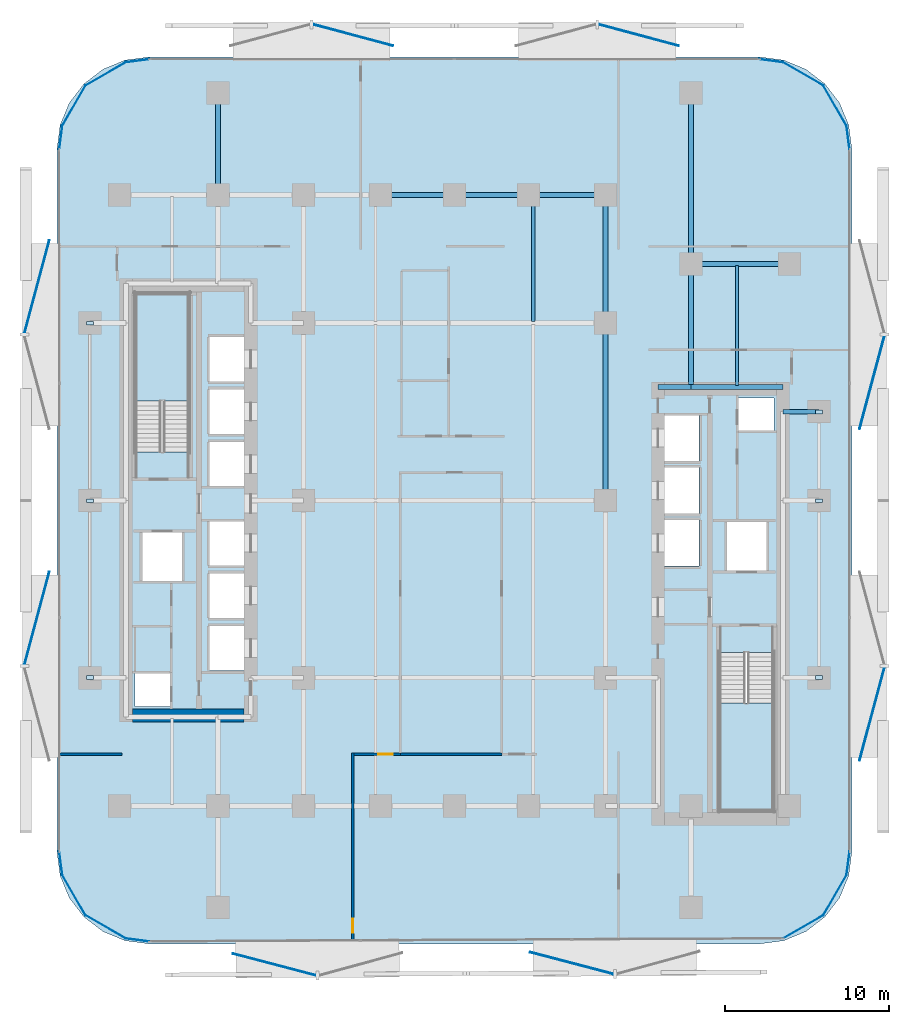
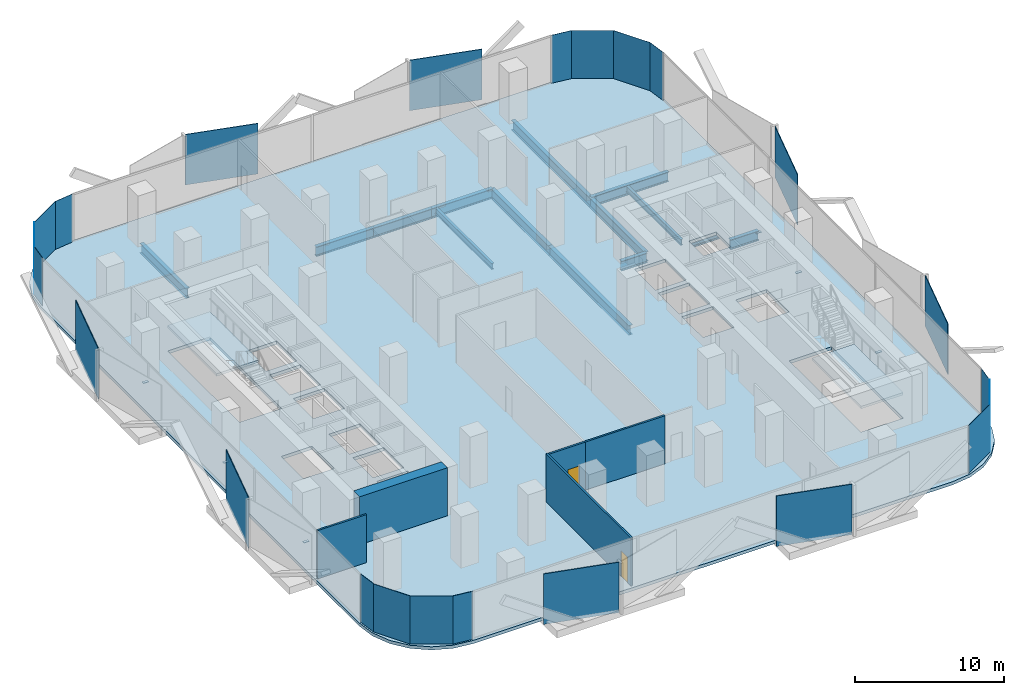
# One storey, part 2 of 15: 29 plates, 14 beams, 5 walls, 3 slabs, 2 doors, 2 openings, 2 elements without a shape of their own.
"""IFC4 building model written with IfcOpenShell, lengths in metres."""

from ifc_helpers import new_model, si_unit, direction, frame, frame_2d, origin, origin_2d, place, context, subcontext, project, spatial, polyline, rectangle, i_section, outline, extrude, material, layer, layer_set, material_profile, profile_set, type_object, element, fill, aggregate, save


model = new_model("IFC4")

# Units and contexts
model_context = context("Model", 3, precision=1e-05, world=origin(), true_north=direction((0.0, 1.0)))
body_context = subcontext(model_context, "Body", "Model", "MODEL_VIEW")
ifc_project = project(units=[si_unit("LENGTHUNIT", "METRE"), si_unit("AREAUNIT", "SQUARE_METRE"), si_unit("VOLUMEUNIT", "CUBIC_METRE"), si_unit("PLANEANGLEUNIT", "RADIAN"), si_unit("MASSUNIT", "GRAM", prefix="KILO")], contexts=[model_context])

# Site, building, storey
site_placement = place(None, origin())
site = spatial("IfcSite", under=ifc_project, at=site_placement, CompositionType="ELEMENT")
building_placement = place(site_placement, origin())
building = spatial("IfcBuilding", under=site, at=building_placement, Name="Khairoan Windgate Tower", CompositionType="ELEMENT")
storey_placement = place(building_placement, frame((0.0, 0.0, 47.0)))
storey = spatial("IfcBuildingStorey", under=building, at=storey_placement, Name="L11", CompositionType="ELEMENT", Elevation=47.0)

# Beams
ifc_material_1 = material(Name="Steel S355", Category="steel")
ifc_material_profile_1 = material_profile(ifc_material_1, i_section(OverallWidth=0.300048828125, OverallDepth=0.800048828125, WebThickness=0.013916015625, FlangeThickness=0.02587890625, FilletRadius=0.028076171875, at=origin_2d()))
ifc_profile_set_1 = profile_set([ifc_material_profile_1], Name="Steel S355")
beam_type_1 = type_object("IfcBeamType", Name="Beam B-G2 H800x300x14x26", PredefinedType="BEAM", material=ifc_profile_set_1)
beam_1_placement = place(storey_placement, frame((20.0, 5.39990234375, -0.659912109375), z_axis=(1.0, 0.0, 0.0), x_axis=(0.0, 1.0, 0.0)))
element("IfcBeam", 1, at=beam_1_placement, inside=storey, type_object=beam_type_1, Name="L11 E-W Primary Girder 19", PredefinedType="BEAM", context=body_context, shape_type="SweptSolid", body=[
    extrude(i_section(OverallWidth=0.300048828125, OverallDepth=0.800048828125, WebThickness=0.013916015625, FlangeThickness=0.02587890625, FilletRadius=0.028076171875, at=origin_2d()), origin(), (0.0, 0.0, 1.0), 2.199951171875),
])
beam_2_placement = place(storey_placement, frame((12.39990234375, 6.89990234375, -0.659912109375), z_axis=(1.0, 0.0, 0.0), x_axis=(0.0, 1.0, 0.0)))
element("IfcBeam", 2, at=beam_2_placement, inside=storey, type_object=beam_type_1, Name="L11 E-W Primary Girder 20", PredefinedType="BEAM", context=body_context, shape_type="SweptSolid", body=[
    extrude(i_section(OverallWidth=0.300048828125, OverallDepth=0.800048828125, WebThickness=0.013916015625, FlangeThickness=0.02587890625, FilletRadius=0.028076171875, at=origin_2d()), origin(), (0.0, 0.0, 1.0), 2.0),
])
beam_3_placement = place(storey_placement, frame((14.39990234375, 6.89990234375, -0.659912109375), z_axis=(1.0, 0.0, 0.0), x_axis=(0.0, 1.0, 0.0)))
element("IfcBeam", 3, at=beam_3_placement, inside=storey, type_object=beam_type_1, Name="L11 E-W Primary Girder 21", PredefinedType="BEAM", context=body_context, shape_type="SweptSolid", body=[
    extrude(i_section(OverallWidth=0.300048828125, OverallDepth=0.800048828125, WebThickness=0.013916015625, FlangeThickness=0.02587890625, FilletRadius=0.028076171875, at=origin_2d()), origin(), (0.0, 0.0, 1.0), 5.60009765625),
])
beam_4_placement = place(storey_placement, frame((14.39990234375, 14.39990234375, -0.659912109375), z_axis=(1.0, 0.0, 0.0), x_axis=(0.0, 1.0, 0.0)))
element("IfcBeam", 4, at=beam_4_placement, inside=storey, type_object=beam_type_1, Name="L11 E-W Primary Girder 27", PredefinedType="BEAM", context=body_context, shape_type="SweptSolid", body=[
    extrude(i_section(OverallWidth=0.300048828125, OverallDepth=0.800048828125, WebThickness=0.013916015625, FlangeThickness=0.02587890625, FilletRadius=0.028076171875, at=origin_2d()), origin(), (0.0, 0.0, 1.0), 6.0),
])
for number, where, z_axis, x_axis, name in (
    (5, (-4.5, 18.60009765625, -0.659912109375), (1.0, 0.0, 0.0), (0.0, 1.0, 0.0), "L11 E-W Primary Girder 31"),
    (6, (0.0, 18.60009765625, -0.659912109375), (1.0, 0.0, 0.0), (0.0, 1.0, 0.0), "L11 E-W Primary Girder 32"),
):
    element("IfcBeam", number, at=place(storey_placement, frame(where, z_axis=z_axis, x_axis=x_axis)), inside=storey, type_object=beam_type_1, Name=name, PredefinedType="BEAM", context=body_context, shape_type="SweptSolid", body=[
        extrude(i_section(OverallWidth=0.300048828125, OverallDepth=0.800048828125, WebThickness=0.013916015625, FlangeThickness=0.02587890625, FilletRadius=0.028076171875, at=origin_2d()), origin(), (0.0, 0.0, 1.0), 4.5),
    ])
beam_5_placement = place(storey_placement, frame((4.5, 18.60009765625, -0.659912109375), z_axis=(1.0, 0.0, 0.0), x_axis=(0.0, 1.0, 0.0)))
element("IfcBeam", 7, at=beam_5_placement, inside=storey, type_object=beam_type_1, Name="L11 E-W Primary Girder 33", PredefinedType="BEAM", context=body_context, shape_type="SweptSolid", body=[
    extrude(i_section(OverallWidth=0.300048828125, OverallDepth=0.800048828125, WebThickness=0.013916015625, FlangeThickness=0.02587890625, FilletRadius=0.028076171875, at=origin_2d()), origin(), (0.0, 0.0, 1.0), 4.699951171875),
])
beam_6_placement = place(storey_placement, frame((-14.39990234375, 18.60009765625, -0.659912109375), z_axis=(0.0, 1.0, 0.0), x_axis=(-1.0, 0.0, 0.0)))
element("IfcBeam", 8, at=beam_6_placement, inside=storey, type_object=beam_type_1, Name="L11 N-S Primary Beam 43", PredefinedType="BEAM", context=body_context, shape_type="SweptSolid", body=[
    extrude(i_section(OverallWidth=0.300048828125, OverallDepth=0.800048828125, WebThickness=0.013916015625, FlangeThickness=0.02587890625, FilletRadius=0.028076171875, at=origin_2d()), origin(), (0.0, 0.0, 1.0), 6.199951171875),
])
beam_7_placement = place(storey_placement, frame((9.199951171875, 0.0, -0.659912109375), z_axis=(0.0, 1.0, 0.0), x_axis=(-1.0, 0.0, 0.0)))
element("IfcBeam", 9, at=beam_7_placement, inside=storey, type_object=beam_type_1, Name="L11 N-S Primary Beam 52", PredefinedType="BEAM", context=body_context, shape_type="SweptSolid", body=[
    extrude(i_section(OverallWidth=0.300048828125, OverallDepth=0.800048828125, WebThickness=0.013916015625, FlangeThickness=0.02587890625, FilletRadius=0.028076171875, at=origin_2d()), origin(), (0.0, 0.0, 1.0), 10.800048828125),
])
beam_8_placement = place(storey_placement, frame((9.199951171875, 10.800048828125, -0.659912109375), z_axis=(0.0, 1.0, 0.0), x_axis=(-1.0, 0.0, 0.0)))
element("IfcBeam", 10, at=beam_8_placement, inside=storey, type_object=beam_type_1, Name="L11 N-S Primary Beam 53", PredefinedType="BEAM", context=body_context, shape_type="SweptSolid", body=[
    extrude(i_section(OverallWidth=0.300048828125, OverallDepth=0.800048828125, WebThickness=0.013916015625, FlangeThickness=0.02587890625, FilletRadius=0.028076171875, at=origin_2d()), origin(), (0.0, 0.0, 1.0), 7.800048828125),
])
beam_9_placement = place(storey_placement, frame((14.39990234375, 6.89990234375, -0.659912109375), z_axis=(0.0, 1.0, 0.0), x_axis=(-1.0, 0.0, 0.0)))
element("IfcBeam", 11, at=beam_9_placement, inside=storey, type_object=beam_type_1, Name="L11 N-S Primary Beam 56", PredefinedType="BEAM", context=body_context, shape_type="SweptSolid", body=[
    extrude(i_section(OverallWidth=0.300048828125, OverallDepth=0.800048828125, WebThickness=0.013916015625, FlangeThickness=0.02587890625, FilletRadius=0.028076171875, at=origin_2d()), origin(), (0.0, 0.0, 1.0), 7.5),
])
beam_10_placement = place(storey_placement, frame((14.39990234375, 14.39990234375, -0.659912109375), z_axis=(0.0, 1.0, 0.0), x_axis=(-1.0, 0.0, 0.0)))
element("IfcBeam", 12, at=beam_10_placement, inside=storey, type_object=beam_type_1, Name="L11 N-S Primary Beam 57", PredefinedType="BEAM", context=body_context, shape_type="SweptSolid", body=[
    extrude(i_section(OverallWidth=0.300048828125, OverallDepth=0.800048828125, WebThickness=0.013916015625, FlangeThickness=0.02587890625, FilletRadius=0.028076171875, at=origin_2d()), origin(), (0.0, 0.0, 1.0), 10.400146484375),
])
ifc_material_2 = material(Name="Steel S355", Category="steel")
ifc_material_profile_2 = material_profile(ifc_material_2, i_section(OverallWidth=0.199951171875, OverallDepth=0.5, WebThickness=0.010009765625, FlangeThickness=0.01611328125, FilletRadius=0.02001953125, at=origin_2d()))
ifc_profile_set_2 = profile_set([ifc_material_profile_2], Name="Steel S355")
beam_type_2 = type_object("IfcBeamType", Name="Beam J-S2 H500x200x10x16", PredefinedType="JOIST", material=ifc_profile_set_2)
beam_11_placement = place(storey_placement, frame((4.800048828125, 10.889892578125, -0.510009765625), z_axis=(0.0, 1.0, 0.0), x_axis=(-1.0, 0.0, 0.0)))
element("IfcBeam", 13, at=beam_11_placement, inside=storey, type_object=beam_type_2, Name="L11 Secondary Floor Joist 10", PredefinedType="JOIST", context=body_context, shape_type="SweptSolid", body=[
    extrude(i_section(OverallWidth=0.199951171875, OverallDepth=0.5, WebThickness=0.010009765625, FlangeThickness=0.01611328125, FilletRadius=0.02001953125, at=origin_2d()), origin(), (0.0, 0.0, 1.0), 7.6201171875),
])
beam_12_placement = place(storey_placement, frame((17.199951171875, 6.989990234375, -0.510009765625), z_axis=(0.0, 1.0, 0.0), x_axis=(-1.0, 0.0, 0.0)))
element("IfcBeam", 14, at=beam_12_placement, inside=storey, type_object=beam_type_2, Name="L11 Secondary Floor Joist 11", PredefinedType="JOIST", context=body_context, shape_type="SweptSolid", body=[
    extrude(i_section(OverallWidth=0.199951171875, OverallDepth=0.5, WebThickness=0.010009765625, FlangeThickness=0.01611328125, FilletRadius=0.02001953125, at=origin_2d()), origin(), (0.0, 0.0, 1.0), 7.320068359375),
])

# Plates
ifc_material_3 = material(Name="Low-E Solar Control Laminated Glass", Category="glass")
ifc_layer_1 = layer(ifc_material_3, 0.030029296875, Name="Low-E Solar Control Laminated Glass")
ifc_layer_set_1 = layer_set([ifc_layer_1], Name="Low-E Solar Control Laminated Glass")
plate_type_1 = type_object("IfcPlateType", Name="Aerodynamic Wind-Corner Curved Glazing Plate", PredefinedType="USERDEFINED", material=ifc_layer_set_1)
plate_placement = place(storey_placement, frame((-19.302001953125, -26.766357421875, 0.0), z_axis=(0.0, 0.0, 1.0), x_axis=(-0.991444861374, 0.13052619222, 0.0)))
element("IfcPlate", 15, at=plate_placement, inside=storey, type_object=plate_type_1, Name="L11 Aerodynamic Wind-Corner Curved Glazing Panel 2", ObjectType="GLAZING PANEL", PredefinedType="USERDEFINED", context=body_context, shape_type="SweptSolid", body=[
    extrude(rectangle(XDim=1.474365234375, YDim=0.028076171875, at=origin_2d()), origin(), (0.0, 0.0, 1.0), 3.93994140625),
])
for number, where, z_axis, x_axis, name in (
    (16, (-21.236328125, -25.96630859375, 0.0), (0.0, 0.0, 1.0), (-0.866025403784, 0.5, 0.0), "L11 Aerodynamic Wind-Corner Curved Glazing Panel 3"),
    (17, (-23.16650390625, -24.03662109375, 0.0), (0.0, 0.0, 1.0), (-0.5, 0.866025403784, 0.0), "L11 Aerodynamic Wind-Corner Curved Glazing Panel 4"),
):
    element("IfcPlate", number, at=place(storey_placement, frame(where, z_axis=z_axis, x_axis=x_axis)), inside=storey, type_object=plate_type_1, Name=name, ObjectType="GLAZING PANEL", PredefinedType="USERDEFINED", context=body_context, shape_type="SweptSolid", body=[
        extrude(rectangle(XDim=2.86572265625, YDim=0.028076171875, at=origin_2d()), origin(), (0.0, 0.0, 1.0), 3.93994140625),
    ])
for number, where, z_axis, x_axis, name in (
    (18, (-23.96630859375, -22.101806640625, 0.0), (0.0, 0.0, 1.0), (-0.13052619222, 0.991444861374, 0.0), "L11 Aerodynamic Wind-Corner Curved Glazing Panel 5"),
    (19, (-23.96630859375, 22.101806640625, 0.0), (0.0, 0.0, 1.0), (0.13052619222, 0.991444861374, 0.0), "L11 Aerodynamic Wind-Corner Curved Glazing Panel 7"),
):
    element("IfcPlate", number, at=place(storey_placement, frame(where, z_axis=z_axis, x_axis=x_axis)), inside=storey, type_object=plate_type_1, Name=name, ObjectType="GLAZING PANEL", PredefinedType="USERDEFINED", context=body_context, shape_type="SweptSolid", body=[
        extrude(rectangle(XDim=1.474365234375, YDim=0.028076171875, at=origin_2d()), origin(), (0.0, 0.0, 1.0), 3.93994140625),
    ])
for number, where, z_axis, x_axis, name in (
    (20, (-23.16650390625, 24.03662109375, 0.0), (0.0, 0.0, 1.0), (0.5, 0.866025403784, 0.0), "L11 Aerodynamic Wind-Corner Curved Glazing Panel 8"),
    (21, (-21.236328125, 25.96630859375, 0.0), (0.0, 0.0, 1.0), (0.866025403784, 0.5, 0.0), "L11 Aerodynamic Wind-Corner Curved Glazing Panel 9"),
):
    element("IfcPlate", number, at=place(storey_placement, frame(where, z_axis=z_axis, x_axis=x_axis)), inside=storey, type_object=plate_type_1, Name=name, ObjectType="GLAZING PANEL", PredefinedType="USERDEFINED", context=body_context, shape_type="SweptSolid", body=[
        extrude(rectangle(XDim=2.86572265625, YDim=0.028076171875, at=origin_2d()), origin(), (0.0, 0.0, 1.0), 3.93994140625),
    ])
for number, where, z_axis, x_axis, name in (
    (22, (-19.302001953125, 26.766357421875, 0.0), (0.0, 0.0, 1.0), (0.991444861374, 0.13052619222, 0.0), "L11 Aerodynamic Wind-Corner Curved Glazing Panel 10"),
    (23, (19.302001953125, 26.766357421875, 0.0), (0.0, 0.0, 1.0), (0.991444861374, -0.13052619222, 0.0), "L11 Aerodynamic Wind-Corner Curved Glazing Panel 12"),
):
    element("IfcPlate", number, at=place(storey_placement, frame(where, z_axis=z_axis, x_axis=x_axis)), inside=storey, type_object=plate_type_1, Name=name, ObjectType="GLAZING PANEL", PredefinedType="USERDEFINED", context=body_context, shape_type="SweptSolid", body=[
        extrude(rectangle(XDim=1.474365234375, YDim=0.028076171875, at=origin_2d()), origin(), (0.0, 0.0, 1.0), 3.93994140625),
    ])
for number, where, z_axis, x_axis, name in (
    (24, (21.236328125, 25.96630859375, 0.0), (0.0, 0.0, 1.0), (0.866025403784, -0.5, 0.0), "L11 Aerodynamic Wind-Corner Curved Glazing Panel 13"),
    (25, (23.16650390625, 24.03662109375, 0.0), (0.0, 0.0, 1.0), (0.5, -0.866025403784, 0.0), "L11 Aerodynamic Wind-Corner Curved Glazing Panel 14"),
):
    element("IfcPlate", number, at=place(storey_placement, frame(where, z_axis=z_axis, x_axis=x_axis)), inside=storey, type_object=plate_type_1, Name=name, ObjectType="GLAZING PANEL", PredefinedType="USERDEFINED", context=body_context, shape_type="SweptSolid", body=[
        extrude(rectangle(XDim=2.86572265625, YDim=0.028076171875, at=origin_2d()), origin(), (0.0, 0.0, 1.0), 3.93994140625),
    ])
for number, where, z_axis, x_axis, name in (
    (26, (23.96630859375, 22.101806640625, 0.0), (0.0, 0.0, 1.0), (0.13052619222, -0.991444861374, 0.0), "L11 Aerodynamic Wind-Corner Curved Glazing Panel 15"),
    (27, (23.96630859375, -22.101806640625, 0.0), (0.0, 0.0, 1.0), (-0.13052619222, -0.991444861374, 0.0), "L11 Aerodynamic Wind-Corner Curved Glazing Panel 17"),
):
    element("IfcPlate", number, at=place(storey_placement, frame(where, z_axis=z_axis, x_axis=x_axis)), inside=storey, type_object=plate_type_1, Name=name, ObjectType="GLAZING PANEL", PredefinedType="USERDEFINED", context=body_context, shape_type="SweptSolid", body=[
        extrude(rectangle(XDim=1.474365234375, YDim=0.028076171875, at=origin_2d()), origin(), (0.0, 0.0, 1.0), 3.93994140625),
    ])
for number, where, z_axis, x_axis, name in (
    (28, (23.16650390625, -24.03662109375, 0.0), (0.0, 0.0, 1.0), (-0.5, -0.866025403784, 0.0), "L11 Aerodynamic Wind-Corner Curved Glazing Panel 18"),
    (29, (21.236328125, -25.96630859375, 0.0), (0.0, 0.0, 1.0), (-0.866025403784, -0.5, 0.0), "L11 Aerodynamic Wind-Corner Curved Glazing Panel 19"),
):
    element("IfcPlate", number, at=place(storey_placement, frame(where, z_axis=z_axis, x_axis=x_axis)), inside=storey, type_object=plate_type_1, Name=name, ObjectType="GLAZING PANEL", PredefinedType="USERDEFINED", context=body_context, shape_type="SweptSolid", body=[
        extrude(rectangle(XDim=2.86572265625, YDim=0.028076171875, at=origin_2d()), origin(), (0.0, 0.0, 1.0), 3.93994140625),
    ])
ifc_material_4 = material(Name="Steel S355", Category="steel")
ifc_layer_2 = layer(ifc_material_4, 0.0400390625, Name="Steel S355")
ifc_layer_set_2 = layer_set([ifc_layer_2], Name="Steel S355")
plate_type_2 = type_object("IfcPlateType", Name="Hollow Section End-Cap Plate PL-CAP40", PredefinedType="SHEET", material=ifc_layer_set_2)
for number, where, z_axis, x_axis, name in (
    (30, (-22.199951171875, -10.784912109375, -0.47998046875), (0.0, 0.0, 1.0), (0.0, 1.0, 0.0), "BM-SP-L11-034 steel end-cap plate 1"),
    (31, (-22.199951171875, -0.014892578125, -0.47998046875), (0.0, 0.0, 1.0), (0.0, 1.0, 0.0), "BM-SP-L11-034 steel end-cap plate 2"),
    (32, (-22.199951171875, 10.784912109375, -0.47998046875), (0.0, 0.0, 1.0), (0.0, 1.0, 0.0), "BM-SP-L11-035 steel end-cap plate 2"),
    (33, (22.199951171875, -10.784912109375, -0.47998046875), (0.0, 0.0, 1.0), (0.0, 1.0, 0.0), "BM-SP-L11-061 steel end-cap plate 1"),
    (34, (22.199951171875, -0.014892578125, -0.47998046875), (0.0, 0.0, 1.0), (0.0, 1.0, 0.0), "BM-SP-L11-061 steel end-cap plate 2"),
    (35, (22.199951171875, 5.385009765625, -0.47998046875), (0.0, 0.0, 1.0), (0.0, 1.0, 0.0), "BM-SP-L11-062 steel end-cap plate 2"),
):
    element("IfcPlate", number, at=place(storey_placement, frame(where, z_axis=z_axis, x_axis=x_axis)), inside=storey, type_object=plate_type_2, Name=name, PredefinedType="SHEET", context=body_context, shape_type="SweptSolid", body=[
        extrude(rectangle(XDim=0.219970703125, YDim=0.419921875, at=origin_2d()), origin(), (0.0, 0.0, 1.0), 0.0400390625),
    ])
ifc_material_5 = material(Name="Anodised Bronze Aluminium 6063-T6", Category="aluminium")
ifc_layer_3 = layer(ifc_material_5, 0.054931640625, Name="Anodised Bronze Aluminium 6063-T6")
ifc_layer_set_3 = layer_set([ifc_layer_3], Name="Anodised Bronze Aluminium 6063-T6")
plate_type_3 = type_object("IfcPlateType", Name="Perforated Bronze Solar Screen Panel BSP-1", PredefinedType="USERDEFINED", material=ifc_layer_set_3)
for number, where, z_axis, x_axis, name in (
    (36, (7.143310546875, -28.17578125, -0.10009765625), (0.0, 0.0, 1.0), (-0.967179115616, 0.254095569259, 0.0), "L11 Perforated Bronze Solar Screen Panel 41R"),
    (37, (-10.95849609375, -28.263671875, -0.10009765625), (0.0, 0.0, 1.0), (-0.967179115616, 0.254095569259, 0.0), "L11 Perforated Bronze Solar Screen Panel 42R"),
):
    element("IfcPlate", number, at=place(storey_placement, frame(where, z_axis=z_axis, x_axis=x_axis)), inside=storey, type_object=plate_type_3, Name=name, ObjectType="SCREEN", PredefinedType="USERDEFINED", context=body_context, shape_type="SweptSolid", body=[
        extrude(rectangle(XDim=5.25, YDim=0.054931640625, at=origin_2d()), origin(), (0.0, 0.0, 1.0), 4.139892578125),
    ])
for number, where, z_axis, x_axis, name in (
    (38, (-25.42236328125, -7.177734375, -0.10009765625), (0.0, 0.0, 1.0), (0.258819045103, 0.965925826289, 0.0), "L11 Perforated Bronze Solar Screen Panel 43R"),
    (39, (-25.42236328125, 13.01318359375, -0.10009765625), (0.0, 0.0, 1.0), (0.258819045103, 0.965925826289, 0.0), "L11 Perforated Bronze Solar Screen Panel 44R"),
):
    element("IfcPlate", number, at=place(storey_placement, frame(where, z_axis=z_axis, x_axis=x_axis)), inside=storey, type_object=plate_type_3, Name=name, ObjectType="SCREEN", PredefinedType="USERDEFINED", context=body_context, shape_type="SweptSolid", body=[
        extrude(rectangle(XDim=5.85498046875, YDim=0.054931640625, at=origin_2d()), origin(), (0.0, 0.0, 1.0), 4.139892578125),
    ])
for number, where, z_axis, x_axis, name in (
    (40, (-6.169921875, 28.327392578125, -0.10009765625), (0.0, 0.0, 1.0), (0.965925826289, -0.258819045103, 0.0), "L11 Perforated Bronze Solar Screen Panel 45R"),
    (41, (11.220947265625, 28.327392578125, -0.10009765625), (0.0, 0.0, 1.0), (0.965925826289, -0.258819045103, 0.0), "L11 Perforated Bronze Solar Screen Panel 46R"),
):
    element("IfcPlate", number, at=place(storey_placement, frame(where, z_axis=z_axis, x_axis=x_axis)), inside=storey, type_object=plate_type_3, Name=name, ObjectType="SCREEN", PredefinedType="USERDEFINED", context=body_context, shape_type="SweptSolid", body=[
        extrude(rectangle(XDim=5.04296875, YDim=0.054931640625, at=origin_2d()), origin(), (0.0, 0.0, 1.0), 4.139892578125),
    ])
for number, where, z_axis, x_axis, name in (
    (42, (25.42236328125, 7.177734375, -0.10009765625), (0.0, 0.0, 1.0), (-0.258819045103, -0.965925826289, 0.0), "L11 Perforated Bronze Solar Screen Panel 47R"),
    (43, (25.42236328125, -13.01318359375, -0.10009765625), (0.0, 0.0, 1.0), (-0.258819045103, -0.965925826289, 0.0), "L11 Perforated Bronze Solar Screen Panel 48R"),
):
    element("IfcPlate", number, at=place(storey_placement, frame(where, z_axis=z_axis, x_axis=x_axis)), inside=storey, type_object=plate_type_3, Name=name, ObjectType="SCREEN", PredefinedType="USERDEFINED", context=body_context, shape_type="SweptSolid", body=[
        extrude(rectangle(XDim=5.85498046875, YDim=0.054931640625, at=origin_2d()), origin(), (0.0, 0.0, 1.0), 4.139892578125),
    ])

# Stair, slab
ifc_material_6 = material(Name="Concrete C40/50", Category="concrete")
stair_type = type_object("IfcStairType", Name="Tower Core Dog-Leg Stair ST-T1 1560mm", PredefinedType="HALF_TURN_STAIR", material=ifc_material_6)
stair_1_placement = place(storey_placement, origin())
stair_1 = element("IfcStair", 44, at=stair_1_placement, inside=storey, type_object=stair_type, Name="L11 Stair ST1", PredefinedType="HALF_TURN_STAIR")
ifc_material_7 = material(Name="Concrete C40/50", Category="concrete")
ifc_layer_4 = layer(ifc_material_7, 0.199951171875, Name="Concrete C40/50")
ifc_layer_set_4 = layer_set([ifc_layer_4], Name="Concrete C40/50")
slab_type_1 = type_object("IfcSlabType", Name="Reinforced Concrete Stair Landing Slab STL-200", PredefinedType="LANDING", material=ifc_layer_set_4)
slab_1_placement = place(storey_placement, frame((0.0, 0.0, 1.89990234375)))
slab_1 = element("IfcSlab", 45, at=slab_1_placement, type_object=slab_type_1, Name="ST1 landing 1", PredefinedType="LANDING", context=body_context, shape_type="SweptSolid", body=[
    extrude(outline(polyline([(16.14990234375, -12.340087890625), (16.14990234375, -18.89990234375), (19.419921875, -18.89990234375), (19.419921875, -12.340087890625), (16.14990234375, -12.340087890625)])), origin(), (0.0, 0.0, 1.0), 0.2001953125),
])
aggregate(stair_1, [slab_1])

stair_2_placement = place(storey_placement, origin())
stair_2 = element("IfcStair", 46, at=stair_2_placement, inside=storey, type_object=stair_type, Name="L11 Stair ST2", PredefinedType="HALF_TURN_STAIR")
slab_2_placement = place(storey_placement, frame((0.0, 0.0, 1.89990234375)))
slab_2 = element("IfcSlab", 47, at=slab_2_placement, type_object=slab_type_1, Name="ST2 landing 1", PredefinedType="LANDING", context=body_context, shape_type="SweptSolid", body=[
    extrude(outline(polyline([(-16.14990234375, 6.0400390625), (-16.14990234375, 12.60009765625), (-19.419921875, 12.60009765625), (-19.419921875, 6.0400390625), (-16.14990234375, 6.0400390625)])), origin(), (0.0, 0.0, 1.0), 0.2001953125),
])
aggregate(stair_2, [slab_2])

# Slab
ifc_material_8 = material(Name="Concrete C40/50", Category="concrete")
ifc_layer_5 = layer(ifc_material_8, 0.260009765625, Name="Concrete C40/50")
ifc_layer_set_5 = layer_set([ifc_layer_5], Name="Concrete C40/50")
slab_type_2 = type_object("IfcSlabType", Name="Tower Composite Floor Slab FS2 260mm", PredefinedType="FLOOR", material=ifc_layer_set_5)
slab_3_placement = place(storey_placement, frame((0.0, 0.0, -0.260009765625)))
element("IfcSlab", 48, at=slab_3_placement, inside=storey, type_object=slab_type_2, Name="L11 Structural Floor Slab", PredefinedType="FLOOR", context=body_context, shape_type="SweptSolid", body=[
    extrude(outline(polyline([(18.60009765625, -27.0), (20.04931640625, -26.80908203125), (21.39990234375, -26.249755859375), (22.559814453125, -25.35986328125), (23.44970703125, -24.199951171875), (24.00927734375, -22.849365234375), (24.199951171875, -21.39990234375), (24.199951171875, 21.39990234375), (24.00927734375, 22.849365234375), (23.44970703125, 24.199951171875), (22.559814453125, 25.35986328125), (21.39990234375, 26.249755859375), (20.04931640625, 26.80908203125), (18.60009765625, 27.0), (-18.60009765625, 27.0), (-20.04931640625, 26.80908203125), (-21.39990234375, 26.249755859375), (-22.559814453125, 25.35986328125), (-23.44970703125, 24.199951171875), (-24.00927734375, 22.849365234375), (-24.199951171875, 21.39990234375), (-24.199951171875, -21.39990234375), (-24.00927734375, -22.849365234375), (-23.44970703125, -24.199951171875), (-22.559814453125, -25.35986328125), (-21.39990234375, -26.249755859375), (-20.04931640625, -26.80908203125), (-18.60009765625, -27.0), (18.60009765625, -27.0)]), holes=[polyline([(16.14990234375, -9.260009765625), (16.14990234375, -18.89990234375), (19.419921875, -18.89990234375), (19.419921875, -9.260009765625), (16.14990234375, -9.260009765625)]), polyline([(-16.14990234375, 2.9599609375), (-16.14990234375, 12.60009765625), (-19.419921875, 12.60009765625), (-19.419921875, 2.9599609375), (-16.14990234375, 2.9599609375)]), polyline([(-14.89990234375, 7.25), (-12.5, 7.25), (-12.5, 9.949951171875), (-14.89990234375, 9.949951171875), (-14.89990234375, 7.25)]), polyline([(-14.89990234375, 4.050048828125), (-12.5, 4.050048828125), (-12.5, 6.75), (-14.89990234375, 6.75), (-14.89990234375, 4.050048828125)]), polyline([(-14.89990234375, 0.85009765625), (-12.5, 0.85009765625), (-12.5, 3.550048828125), (-14.89990234375, 3.550048828125), (-14.89990234375, 0.85009765625)]), polyline([(-14.89990234375, -3.949951171875), (-12.5, -3.949951171875), (-12.5, -1.25), (-14.89990234375, -1.25), (-14.89990234375, -3.949951171875)]), polyline([(-14.89990234375, -7.14990234375), (-12.5, -7.14990234375), (-12.5, -4.449951171875), (-14.89990234375, -4.449951171875), (-14.89990234375, -7.14990234375)]), polyline([(-14.89990234375, -10.35009765625), (-12.5, -10.35009765625), (-12.5, -7.64990234375), (-14.89990234375, -7.64990234375), (-14.89990234375, -10.35009765625)]), polyline([(12.5, 2.39990234375), (14.89990234375, 2.39990234375), (14.89990234375, 5.199951171875), (12.5, 5.199951171875), (12.5, 2.39990234375)]), polyline([(12.5, -0.800048828125), (14.89990234375, -0.800048828125), (14.89990234375, 2.0), (12.5, 2.0), (12.5, -0.800048828125)]), polyline([(12.5, -4.0), (14.89990234375, -4.0), (14.89990234375, -1.199951171875), (12.5, -1.199951171875), (12.5, -4.0)]), polyline([(16.60009765625, -4.300048828125), (19.0, -4.300048828125), (19.0, -1.300048828125), (16.60009765625, -1.300048828125), (16.60009765625, -4.300048828125)]), polyline([(-19.0, -4.89990234375), (-16.60009765625, -4.89990234375), (-16.60009765625, -1.89990234375), (-19.0, -1.89990234375), (-19.0, -4.89990234375)]), polyline([(-19.449951171875, -12.550048828125), (-17.31005859375, -12.550048828125), (-17.31005859375, -10.550048828125), (-19.449951171875, -10.550048828125), (-19.449951171875, -12.550048828125)]), polyline([(17.31005859375, 4.25), (19.449951171875, 4.25), (19.449951171875, 6.25), (17.31005859375, 6.25), (17.31005859375, 4.25)])]), origin(), (0.0, 0.0, 1.0), 0.260009765625),
])

# Wall
ifc_material_9 = material(Name="Acoustic Fire-Rated Gypsum Partition", Category="gypsum")
ifc_layer_6 = layer(ifc_material_9, 0.139892578125, Name="Acoustic Fire-Rated Gypsum Partition")
ifc_layer_set_6 = layer_set([ifc_layer_6], Name="Acoustic Fire-Rated Gypsum Partition")
wall_type_1 = type_object("IfcWallType", Name="Inter-Tenancy Compartment Wall", PredefinedType="PARTITIONING", material=ifc_layer_set_6)
wall_1_placement = place(storey_placement, frame((-24.054931640625, -15.4599609375, 0.0), z_axis=(0.0, 0.0, 1.0), x_axis=(1.0, 0.0, 0.0)))
element("IfcWall", 49, at=wall_1_placement, inside=storey, type_object=wall_type_1, Name="L11 Interior Partition 022", PredefinedType="PARTITIONING", context=body_context, shape_type="SweptSolid", body=[
    extrude(rectangle(XDim=3.81494140625, YDim=0.139892578125, at=frame_2d((1.907470703125, 0.0))), origin(), (0.0, 0.0, 1.0), 3.93994140625),
])

# Wall, opening, door
wall_2_placement = place(storey_placement, frame((-6.18798828125, -26.794921875, 0.0), z_axis=(0.0, 0.0, 1.0), x_axis=(0.0, 1.0, 0.0)))
wall_2 = element("IfcWall", 50, at=wall_2_placement, inside=storey, type_object=wall_type_1, Name="L11 Interior Partition 028", PredefinedType="PARTITIONING", context=body_context, shape_type="SweptSolid", body=[
    extrude(rectangle(XDim=11.409912109375, YDim=0.139892578125, at=frame_2d((5.705078125, 0.0))), origin(), (0.0, 0.0, 1.0), 3.93994140625),
])
opening_1_placement = place(wall_2_placement, frame((0.4599609375, 0.0, 0.0)))
opening_1 = element("IfcOpeningElement", 51, at=opening_1_placement, cuts=wall_2, Name="Opening FD-SRV", PredefinedType="OPENING", context=body_context, shape_type="SweptSolid", body=[
    extrude(rectangle(XDim=0.85009765625, YDim=2.10009765625, at=frame_2d((0.425048828125, 1.050048828125))), frame((0.0, 0.079833984375, 0.0), z_axis=(0.0, -1.0, 0.0), x_axis=(1.0, 0.0, 0.0)), (0.0, 0.0, 1.0), 0.159912109375),
])
ifc_material_10 = material(Name="Steel S355", Category="steel")
door_type_1 = type_object("IfcDoorType", Name="Core Service and Riser Fire Door FD-SRV 850x2100", OperationType="NOTDEFINED", PredefinedType="DOOR", material=ifc_material_10)
door_1_placement = place(opening_1_placement, origin())
door_1 = element("IfcDoor", 52, at=door_1_placement, inside=storey, type_object=door_type_1, Name="L11 L11-41-L11-42 Door", OperationType="SINGLE_SWING_RIGHT", OverallHeight=2.10009765625, OverallWidth=0.85009765625, PredefinedType="DOOR", context=body_context, shape_type="SweptSolid", body=[
    extrude(rectangle(XDim=0.85009765625, YDim=2.10009765625, at=frame_2d((0.425048828125, 1.050048828125))), frame((0.0, 0.02490234375, 0.0), z_axis=(0.0, -1.0, 0.0), x_axis=(1.0, 0.0, 0.0)), (0.0, 0.0, 1.0), 0.050048828125),
])
fill(opening_1, door_1)

# Wall
wall_3_placement = place(storey_placement, frame((-3.284912109375, -15.4599609375, 0.0), z_axis=(0.0, 0.0, 1.0), x_axis=(1.0, 0.0, 0.0)))
element("IfcWall", 53, at=wall_3_placement, inside=storey, type_object=wall_type_1, Name="L11 Interior Partition 030", PredefinedType="PARTITIONING", context=body_context, shape_type="SweptSolid", body=[
    extrude(rectangle(XDim=6.169921875, YDim=0.139892578125, at=frame_2d((3.0849609375, 0.0))), origin(), (0.0, 0.0, 1.0), 3.93994140625),
])

# Wall, opening, door
ifc_material_11 = material(Name="Acoustic Fire-Rated Gypsum Partition", Category="gypsum")
ifc_layer_7 = layer(ifc_material_11, 0.14990234375, Name="Acoustic Fire-Rated Gypsum Partition")
ifc_layer_set_7 = layer_set([ifc_layer_7], Name="Acoustic Fire-Rated Gypsum Partition")
wall_type_2 = type_object("IfcWallType", Name="Rated Corridor Partition Wall", PredefinedType="PARTITIONING", material=ifc_layer_set_7)
wall_4_placement = place(storey_placement, frame((-6.117919921875, -15.4599609375, 0.0), z_axis=(0.0, 0.0, 1.0), x_axis=(1.0, 0.0, 0.0)))
wall_4 = element("IfcWall", 54, at=wall_4_placement, inside=storey, type_object=wall_type_2, Name="L11 Interior Partition 013", PredefinedType="PARTITIONING", context=body_context, shape_type="SweptSolid", body=[
    extrude(rectangle(XDim=2.8330078125, YDim=0.14990234375, at=frame_2d((1.41650390625, 0.0))), origin(), (0.0, 0.0, 1.0), 3.93994140625),
])
opening_2_placement = place(wall_4_placement, frame((1.472900390625, 0.0, 0.0)))
opening_2 = element("IfcOpeningElement", 55, at=opening_2_placement, cuts=wall_4, Name="Opening FD-ENT", PredefinedType="OPENING", context=body_context, shape_type="SweptSolid", body=[
    extrude(rectangle(XDim=0.89990234375, YDim=2.14990234375, at=frame_2d((0.449951171875, 1.074951171875))), frame((0.0, 0.0849609375, 0.0), z_axis=(0.0, -1.0, 0.0), x_axis=(1.0, 0.0, 0.0)), (0.0, 0.0, 1.0), 0.169921875),
])
ifc_material_12 = material(Name="Timber Fire-Rated Core", Category="wood")
door_type_2 = type_object("IfcDoorType", Name="Unit and Office Fire Entrance Door FD-ENT 900x2150", OperationType="NOTDEFINED", PredefinedType="DOOR", material=ifc_material_12)
door_2_placement = place(opening_2_placement, origin())
door_2 = element("IfcDoor", 56, at=door_2_placement, inside=storey, type_object=door_type_2, Name="L11 L11-31-L11-42 Door", OperationType="SINGLE_SWING_LEFT", OverallHeight=2.14990234375, OverallWidth=0.89990234375, PredefinedType="DOOR", context=body_context, shape_type="SweptSolid", body=[
    extrude(rectangle(XDim=0.89990234375, YDim=2.14990234375, at=frame_2d((0.449951171875, 1.074951171875))), frame((0.0, 0.02490234375, 0.0), z_axis=(0.0, -1.0, 0.0), x_axis=(1.0, 0.0, 0.0)), (0.0, 0.0, 1.0), 0.050048828125),
])
fill(opening_2, door_2)

# Wall
ifc_material_13 = material(Name="Concrete C70/85", Category="concrete")
ifc_layer_8 = layer(ifc_material_13, 0.800048828125, Name="Concrete C70/85")
ifc_layer_set_8 = layer_set([ifc_layer_8], Name="Concrete C70/85")
wall_type_3 = type_object("IfcWallType", Name="Shear Wall CW-W1 800mm", PredefinedType="SHEAR", material=ifc_layer_set_8)
wall_5_placement = place(storey_placement, frame((-19.60009765625, -13.10009765625, 0.0), z_axis=(0.0, 0.0, 1.0), x_axis=(1.0, 0.0, 0.0)))
element("IfcWall", 57, at=wall_5_placement, inside=storey, type_object=wall_type_3, Name="W Core South Shear Wall L11", PredefinedType="SHEAR", context=body_context, shape_type="SweptSolid", body=[
    extrude(rectangle(XDim=6.800048828125, YDim=0.800048828125, at=frame_2d((3.39990234375, 0.0))), origin(), (0.0, 0.0, 1.0), 3.93994140625),
])

save(model, "model.ifc")
